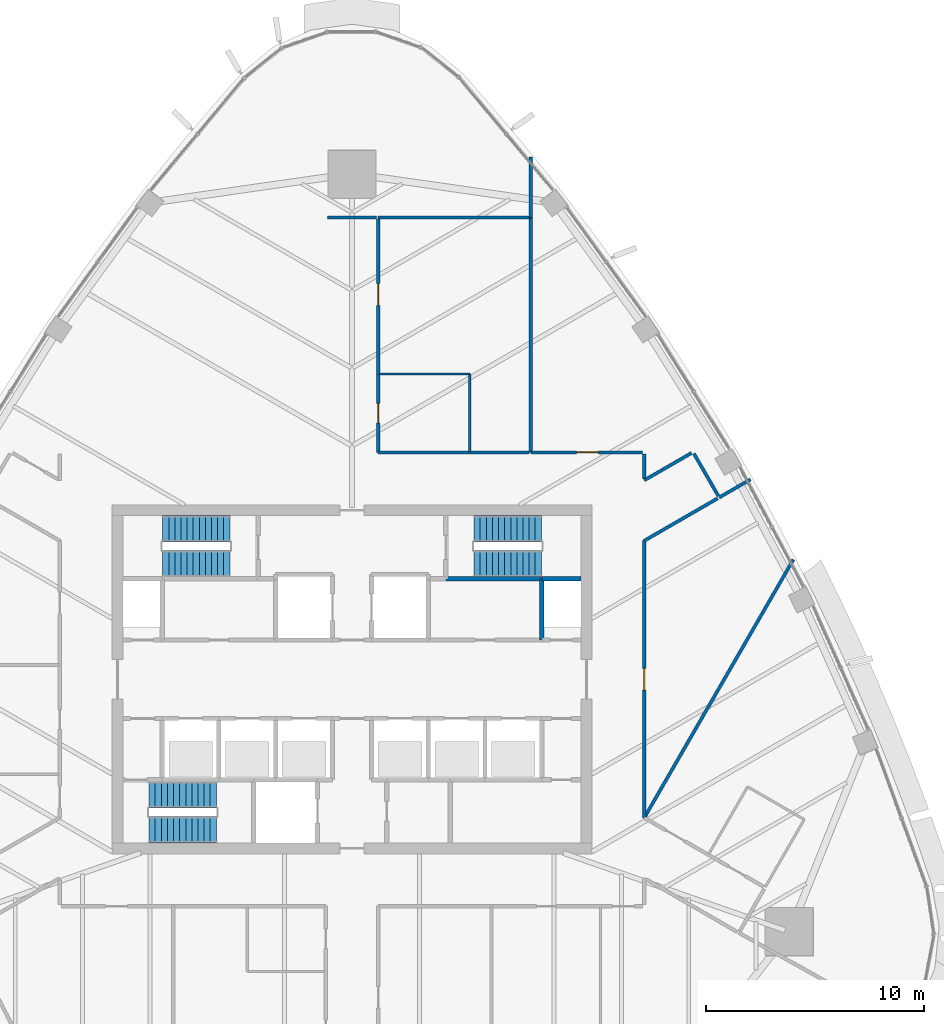
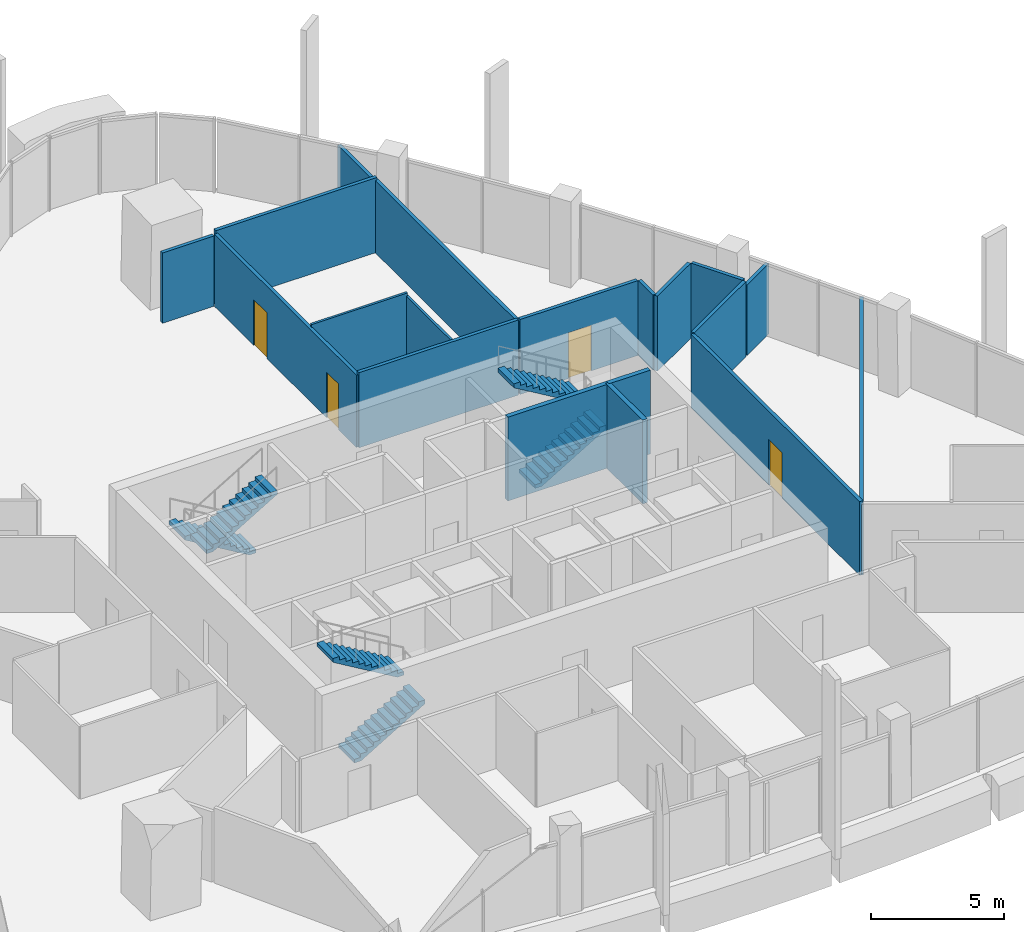
# One storey, part 11 of 19: 19 walls, 6 stair flights, 4 doors, 4 openings, 3 elements without a shape of their own.
"""IFC4 building model written with IfcOpenShell, lengths in metres."""

import ifcopenshell
import ifcopenshell.guid

model = None  # the IFC model being written
_history = None  # IfcOwnerHistory: only IFC2X3 demands one
_inside = {}  # id of a spatial element -> (the spatial element, [elements in it])
_under = {}  # id of a project, library or spatial element -> (it, [spatial elements below it])
_declared = {}  # id of a project -> (the project, [libraries it declares])
_typed = {}  # id of a type object -> (the type object, [elements of that type])
_made_of = {}  # id of a material, layer set ... -> (it, [elements and type objects made of it])


def new_model(schema):
    """Start an empty IFC model of exactly this schema.

    Asked for "IFC4X3", IfcOpenShell would pick the latest addendum, in which some entities
    have other attributes; the version numbers below select the first issue.
    IFC2X3 requires an IfcOwnerHistory on every rooted entity: one is made here for all.
    """
    global model, _history
    if schema == "IFC4X3":
        model = ifcopenshell.file(schema_version=(4, 3, 0, 0))
    else:
        model = ifcopenshell.file(schema=schema)
    _inside.clear()
    _under.clear()
    _declared.clear()
    _typed.clear()
    _made_of.clear()
    _history = None
    if model.schema == "IFC2X3":
        org = make("IfcOrganization", Name="unknown")
        user = make(
            "IfcPersonAndOrganization",
            ThePerson=make("IfcPerson", FamilyName="unknown"),
            TheOrganization=org,
        )
        app = make(
            "IfcApplication",
            ApplicationDeveloper=org,
            Version="unknown",
            ApplicationFullName="unknown",
            ApplicationIdentifier="unknown",
        )
        _history = make(
            "IfcOwnerHistory",
            OwningUser=user,
            OwningApplication=app,
            ChangeAction="ADDED",
            CreationDate=0,
        )
    return model


def make(cls, **values):
    """One entity of the class cls with the attributes given. An attribute that is None is left unset."""
    return model.create_entity(
        cls, **{name: value for name, value in values.items() if value is not None}
    )


def rooted(cls, **values):
    """An entity with a GlobalId (a new one), such as an element, a storey or a relation."""
    return make(cls, GlobalId=ifcopenshell.guid.new(), OwnerHistory=_history, **values)


def si_unit(unit_type, name, prefix=None):
    """IfcSIUnit, for example si_unit("LENGTHUNIT", "METRE", prefix="MILLI")."""
    return make("IfcSIUnit", UnitType=unit_type, Prefix=prefix, Name=name)


def assignment(units):
    """IfcUnitAssignment: the units of a project."""
    return None if units is None else make("IfcUnitAssignment", Units=units)


def point(xyz):
    """IfcCartesianPoint."""
    return None if xyz is None else make("IfcCartesianPoint", Coordinates=xyz)


def direction(xyz):
    """IfcDirection."""
    return None if xyz is None else make("IfcDirection", DirectionRatios=xyz)


def frame(location, z_axis=None, x_axis=None):
    """IfcAxis2Placement3D, a coordinate frame: its origin and axes. An axis left out is left unset."""
    return make(
        "IfcAxis2Placement3D",
        Location=point(location),
        Axis=direction(z_axis),
        RefDirection=direction(x_axis),
    )


def frame_2d(location, x_axis=None):
    """IfcAxis2Placement2D, a coordinate frame in the plane: its origin and x axis."""
    return make(
        "IfcAxis2Placement2D", Location=point(location), RefDirection=direction(x_axis)
    )


def origin():
    """The frame at (0, 0, 0) with its axes left unset."""
    return frame((0.0, 0.0, 0.0))


def place(relative_to, where):
    """IfcLocalPlacement: puts the frame where relative to a parent placement (None: the world)."""
    return make(
        "IfcLocalPlacement", PlacementRelTo=relative_to, RelativePlacement=where
    )


def context(
    kind, dimensions, precision=None, world=None, true_north=None, identifier=None
):
    """IfcGeometricRepresentationContext, for example the 3D "Model" context."""
    return make(
        "IfcGeometricRepresentationContext",
        ContextIdentifier=identifier,
        ContextType=kind,
        CoordinateSpaceDimension=dimensions,
        Precision=precision,
        WorldCoordinateSystem=world,
        TrueNorth=true_north,
    )


def subcontext(parent, identifier, kind, view, scale=None):
    """IfcGeometricRepresentationSubContext, for example "Body" below "Model"."""
    return make(
        "IfcGeometricRepresentationSubContext",
        ContextIdentifier=identifier,
        ContextType=kind,
        ParentContext=parent,
        TargetScale=scale,
        TargetView=view,
    )


def project(units=None, contexts=None):
    """IfcProject with its units and contexts."""
    return rooted(
        "IfcProject",
        Name="project",
        RepresentationContexts=contexts,
        UnitsInContext=assignment(units),
    )


def spatial(cls, under=None, at=None, **own):
    """A site, building, storey or space (cls), placed at a placement, below another one or the project."""
    s = rooted(cls, ObjectPlacement=at, **own)
    if under is not None:
        _under.setdefault(under.id(), (under, []))[1].append(s)
    return s


def polyline(points):
    """IfcPolyline through the points."""
    return make("IfcPolyline", Points=[point(p) for p in points])


def profile(cls, at=None, kind="AREA", **sizes):
    """A parametric profile (cls). Its sizes go by their IFC names, for example OverallWidth=200.0."""
    return make(cls, ProfileType=kind, Position=at, **sizes)


def rectangle(**sizes):
    """IfcRectangleProfileDef."""
    return profile("IfcRectangleProfileDef", **sizes)


def outline(outer, holes=None, kind="AREA"):
    """IfcArbitraryClosedProfileDef: a profile drawn as a closed curve; with holes, ...WithVoids."""
    if holes is None:
        return make("IfcArbitraryClosedProfileDef", ProfileType=kind, OuterCurve=outer)
    return make(
        "IfcArbitraryProfileDefWithVoids",
        ProfileType=kind,
        OuterCurve=outer,
        InnerCurves=holes,
    )


def extrude(swept, where, along, depth):
    """IfcExtrudedAreaSolid: the profile swept, set in the frame where, extruded along a direction by depth."""
    return make(
        "IfcExtrudedAreaSolid",
        SweptArea=swept,
        Position=where,
        ExtrudedDirection=direction(along),
        Depth=depth,
    )


def shape(context_of_items, identifier, shape_type, items):
    """IfcShapeRepresentation: the items that make up one representation, for example the "Body"."""
    return make(
        "IfcShapeRepresentation",
        ContextOfItems=context_of_items,
        RepresentationIdentifier=identifier,
        RepresentationType=shape_type,
        Items=items,
    )


def material(Name=None, Category=None):
    """IfcMaterial."""
    return make("IfcMaterial", Name=Name, Category=Category)


def layer(
    of_material, thickness, ventilated=None, Name=None, Category=None, Priority=None
):
    """IfcMaterialLayer: one layer of a wall or slab, of a material (None: an air gap)."""
    return make(
        "IfcMaterialLayer",
        Material=of_material,
        LayerThickness=thickness,
        IsVentilated=ventilated,
        Name=Name,
        Category=Category,
        Priority=Priority,
    )


def layer_set(layers, Name=None):
    """IfcMaterialLayerSet."""
    return make("IfcMaterialLayerSet", MaterialLayers=layers, LayerSetName=Name)


def made_of(thing, what):
    """Note that an element or type object is made of a material, layer set ...; save() writes the relation."""
    if what is not None:
        _made_of.setdefault(what.id(), (what, []))[1].append(thing)
    return thing


def type_object(cls, material=None, **own):
    """A type object (cls), such as IfcWallType, which elements share."""
    return made_of(rooted(cls, **own), material)


def element(
    cls,
    number,
    at=None,
    inside=None,
    cuts=None,
    type_object=None,
    material=None,
    context=None,
    identifier="Body",
    shape_type=None,
    held_by="IfcProductDefinitionShape",
    body=None,
    shapes=None,
    **own,
):
    """One element of the class cls, such as IfcWall. Its Tag is "e" and its number.

    at: its placement. inside: the storey or other place that contains it. cuts: it is an
    opening in that element (IfcRelVoidsElement). A single representation is given by context,
    identifier, shape_type and body (its items); several are given by shapes. held_by: the class
    of the entity that holds the representations. save() writes the other relations.
    """
    e = rooted(cls, Tag="e%d" % number, ObjectPlacement=at, **own)
    if body is not None:
        shapes = [shape(context, identifier, shape_type, body)]
    if shapes is not None:
        e.Representation = make(held_by, Representations=shapes)
    if inside is not None:
        _inside.setdefault(inside.id(), (inside, []))[1].append(e)
    if cuts is not None:
        rooted(
            "IfcRelVoidsElement", RelatingBuildingElement=cuts, RelatedOpeningElement=e
        )
    if type_object is not None:
        _typed.setdefault(type_object.id(), (type_object, []))[1].append(e)
    return made_of(e, material)


def fill(opening, filler):
    """IfcRelFillsElement: the door or window that sits in an opening."""
    return rooted(
        "IfcRelFillsElement",
        RelatingOpeningElement=opening,
        RelatedBuildingElement=filler,
    )


def aggregate(whole, parts):
    """IfcRelAggregates: a whole, such as a stair, and the parts it consists of."""
    return rooted("IfcRelAggregates", RelatingObject=whole, RelatedObjects=parts)


def save(model, path):
    """Write the relations noted so far, then the file.

    IfcRelAggregates (storeys below a building ...), IfcRelContainedInSpatialStructure (elements
    in a storey), IfcRelDefinesByType, IfcRelAssociatesMaterial and IfcRelDeclares: one each for
    every whole, place, type object, material and project.
    """
    for whole, parts in _under.values():
        aggregate(whole, parts)
    for where, things in _inside.values():
        rooted(
            "IfcRelContainedInSpatialStructure",
            RelatedElements=things,
            RelatingStructure=where,
        )
    for kind, things in _typed.values():
        rooted("IfcRelDefinesByType", RelatedObjects=things, RelatingType=kind)
    for what, things in _made_of.values():
        rooted("IfcRelAssociatesMaterial", RelatedObjects=things, RelatingMaterial=what)
    for by, libraries in _declared.values():
        rooted("IfcRelDeclares", RelatingContext=by, RelatedDefinitions=libraries)
    model.write(path)


model = new_model("IFC4")

# Units and contexts
model_context = context("Model", 3, precision=1e-05, world=origin(), true_north=direction((0.0, 1.0)))
body_context = subcontext(model_context, "Body", "Model", "MODEL_VIEW")
ifc_project = project(units=[si_unit("LENGTHUNIT", "METRE"), si_unit("AREAUNIT", "SQUARE_METRE"), si_unit("VOLUMEUNIT", "CUBIC_METRE"), si_unit("PLANEANGLEUNIT", "RADIAN"), si_unit("MASSUNIT", "GRAM", prefix="KILO")], contexts=[model_context])

# Site, building, storey
site_placement = place(None, origin())
site = spatial("IfcSite", under=ifc_project, at=site_placement, CompositionType="ELEMENT")
building_placement = place(site_placement, origin())
building = spatial("IfcBuilding", under=site, at=building_placement, Name="Sierra Prisma Convention Tower", CompositionType="ELEMENT")
storey_placement = place(building_placement, frame((0.0, 0.0, 311.0)))
storey = spatial("IfcBuildingStorey", under=building, at=storey_placement, Name="L71", CompositionType="ELEMENT", Elevation=311.0)

# Walls
ifc_material_1 = material(Name="Gypsum board partition", Category="gypsum")
ifc_layer_1 = layer(ifc_material_1, 0.10009765625)
ifc_layer_set_1 = layer_set([ifc_layer_1], Name="Bathroom partition 100")
wall_type_1 = type_object("IfcWallType", Name="Bathroom partition 100", PredefinedType="PARTITIONING", material=ifc_layer_set_1)
wall_1_placement = place(storey_placement, frame((1.22998046875, 14.0, 0.0), z_axis=(0.0, 0.0, 1.0), x_axis=(1.0, 0.0, 0.0)))
element("IfcWall", 1, at=wall_1_placement, inside=storey, type_object=wall_type_1, Name="Partition L71 bath 6", PredefinedType="PARTITIONING", context=body_context, shape_type="SweptSolid", body=[
    extrude(rectangle(XDim=4.169921875, YDim=0.10009765625, at=frame_2d((2.0849609375, 0.0))), origin(), (0.0, 0.0, 1.0), 3.449951171875),
])
wall_2_placement = place(storey_placement, frame((5.39990234375, 14.0, 0.0), z_axis=(0.0, 0.0, 1.0), x_axis=(0.0, -1.0, 0.0)))
element("IfcWall", 2, at=wall_2_placement, inside=storey, type_object=wall_type_1, Name="Partition L71 bath 7", PredefinedType="PARTITIONING", context=body_context, shape_type="SweptSolid", body=[
    extrude(rectangle(XDim=3.570068359375, YDim=0.10009765625, at=frame_2d((1.78515625, 0.0))), origin(), (0.0, 0.0, 1.0), 3.31689453125),
])
ifc_material_2 = material(Name="Concrete C30/37", Category="concrete")
ifc_layer_2 = layer(ifc_material_2, 0.199951171875)
ifc_layer_set_2 = layer_set([ifc_layer_2], Name="Core wall RC 200 C30/37")
wall_type_2 = type_object("IfcWallType", Name="Core wall RC 200 C30/37", PredefinedType="SOLIDWALL", material=ifc_layer_set_2)
wall_3_placement = place(storey_placement, frame((8.699951171875, 4.60009765625, 0.0), z_axis=(0.0, 0.0, 1.0), x_axis=(-1.0, 0.0, 0.0)))
element("IfcWall", 3, at=wall_3_placement, inside=storey, type_object=wall_type_2, Name="Core wall L71 46", PredefinedType="SOLIDWALL", context=body_context, shape_type="SweptSolid", body=[
    extrude(rectangle(XDim=4.39990234375, YDim=0.199951171875, at=frame_2d((2.199951171875, 0.0))), origin(), (0.0, 0.0, 1.0), 3.85009765625),
])
wall_4_placement = place(storey_placement, frame((8.699951171875, 1.800048828125, 0.0), z_axis=(0.0, 0.0, 1.0), x_axis=(0.0, 1.0, 0.0)))
element("IfcWall", 4, at=wall_4_placement, inside=storey, type_object=wall_type_2, Name="Core wall L71 57", PredefinedType="SOLIDWALL", context=body_context, shape_type="SweptSolid", body=[
    extrude(rectangle(XDim=2.800048828125, YDim=0.199951171875, at=frame_2d((1.39990234375, 0.0))), origin(), (0.0, 0.0, 1.0), 3.85009765625),
])
wall_5_placement = place(storey_placement, frame((10.5, 4.60009765625, 0.0), z_axis=(0.0, 0.0, 1.0), x_axis=(-1.0, 0.0, 0.0)))
element("IfcWall", 5, at=wall_5_placement, inside=storey, type_object=wall_type_2, Name="Core wall L71 58", PredefinedType="SOLIDWALL", context=body_context, shape_type="SweptSolid", body=[
    extrude(rectangle(XDim=1.800048828125, YDim=0.199951171875, at=frame_2d((0.89990234375, 0.0))), origin(), (0.0, 0.0, 1.0), 3.85009765625),
])
ifc_material_3 = material(Name="Gypsum board partition", Category="gypsum")
ifc_layer_3 = layer(ifc_material_3, 0.14990234375)
ifc_layer_set_3 = layer_set([ifc_layer_3], Name="Corridor wall 150 gypsum EI 60")
wall_type_3 = type_object("IfcWallType", Name="Corridor wall 150 gypsum EI 60", PredefinedType="PARTITIONING", material=ifc_layer_set_3)
wall_6_placement = place(storey_placement, frame((1.1201171875, 21.171875, 0.0), z_axis=(0.0, 0.0, 1.0), x_axis=(-1.0, 0.0, 0.0)))
element("IfcWall", 6, at=wall_6_placement, inside=storey, type_object=wall_type_3, Name="Partition L71 corr 13", PredefinedType="PARTITIONING", context=body_context, shape_type="SweptSolid", body=[
    extrude(rectangle(XDim=2.240234375, YDim=0.14990234375, at=frame_2d((1.1201171875, 0.0))), origin(), (0.0, 0.0, 1.0), 3.23291015625),
])
wall_7_placement = place(storey_placement, frame((8.1201171875, 10.39990234375, 0.0), z_axis=(0.0, 0.0, 1.0), x_axis=(-1.0, 0.0, 0.0)))
element("IfcWall", 7, at=wall_7_placement, inside=storey, type_object=wall_type_3, Name="Partition L71 corr 16", PredefinedType="PARTITIONING", context=body_context, shape_type="SweptSolid", body=[
    extrude(rectangle(XDim=6.920166015625, YDim=0.14990234375, at=frame_2d((3.4599609375, 0.0))), origin(), (0.0, 0.0, 1.0), 3.449951171875),
])

# Wall, openings, doors
wall_8_placement = place(storey_placement, frame((1.199951171875, 10.39990234375, 0.0), z_axis=(0.0, 0.0, 1.0), x_axis=(0.0, 1.0, 0.0)))
wall_8 = element("IfcWall", 8, at=wall_8_placement, inside=storey, type_object=wall_type_3, Name="Partition L71 corr 17", PredefinedType="PARTITIONING", context=body_context, shape_type="SweptSolid", body=[
    extrude(rectangle(XDim=10.69189453125, YDim=0.14990234375, at=frame_2d((5.345947265625, 0.0))), origin(), (0.0, 0.0, 1.0), 3.31689453125),
])
opening_1_placement = place(wall_8_placement, frame((1.35009765625, 0.0, 0.0)))
opening_1 = element("IfcOpeningElement", 9, at=opening_1_placement, cuts=wall_8, Name="Opening L71-D025", PredefinedType="OPENING", context=body_context, shape_type="SweptSolid", body=[
    extrude(rectangle(XDim=0.89990234375, YDim=2.10009765625, at=frame_2d((0.449951171875, 1.050048828125))), frame((0.0, 0.074951171875, 0.0), z_axis=(0.0, -1.0, 0.0), x_axis=(1.0, 0.0, 0.0)), (0.0, 0.0, 1.0), 0.14990234375),
])
opening_2_placement = place(wall_8_placement, frame((6.73583984375, 0.0, 0.0)))
opening_2 = element("IfcOpeningElement", 10, at=opening_2_placement, cuts=wall_8, Name="Opening L71-D026", PredefinedType="OPENING", context=body_context, shape_type="SweptSolid", body=[
    extrude(rectangle(XDim=1.0, YDim=2.10009765625, at=frame_2d((0.5, 1.050048828125))), frame((0.0, 0.074951171875, 0.0), z_axis=(0.0, -1.0, 0.0), x_axis=(1.0, 0.0, 0.0)), (0.0, 0.0, 1.0), 0.14990234375),
])
ifc_material_4 = material(Name="Steel fire door leaf", Category="steel")
door_type_1 = type_object("IfcDoorType", Name="Door 1000x2100 FD30S", OperationType="SINGLE_SWING_LEFT", PredefinedType="DOOR", material=ifc_material_4)
door_1_placement = place(opening_2_placement, origin())
door_1 = element("IfcDoor", 11, at=door_1_placement, inside=storey, type_object=door_type_1, Name="Door L71 4", OperationType="SINGLE_SWING_LEFT", OverallHeight=2.10009765625, OverallWidth=1.0, PredefinedType="DOOR", context=body_context, shape_type="SweptSolid", body=[
    extrude(rectangle(XDim=1.0, YDim=2.10009765625, at=frame_2d((0.5, 1.050048828125))), frame((0.0, 0.02490234375, 0.0), z_axis=(0.0, -1.0, 0.0), x_axis=(1.0, 0.0, 0.0)), (0.0, 0.0, 1.0), 0.050048828125),
])
fill(opening_2, door_1)
ifc_material_5 = material(Name="Steel fire door leaf", Category="steel")
door_type_2 = type_object("IfcDoorType", Name="Door 900x2100 FD30S", OperationType="SINGLE_SWING_LEFT", PredefinedType="DOOR", material=ifc_material_5)
door_2_placement = place(opening_1_placement, origin())
door_2 = element("IfcDoor", 12, at=door_2_placement, inside=storey, type_object=door_type_2, Name="Door L71 3", OperationType="SINGLE_SWING_RIGHT", OverallHeight=2.10009765625, OverallWidth=0.89990234375, PredefinedType="DOOR", context=body_context, shape_type="SweptSolid", body=[
    extrude(rectangle(XDim=0.89990234375, YDim=2.10009765625, at=frame_2d((0.449951171875, 1.050048828125))), frame((0.0, 0.02490234375, 0.0), z_axis=(0.0, -1.0, 0.0), x_axis=(1.0, 0.0, 0.0)), (0.0, 0.0, 1.0), 0.050048828125),
])
fill(opening_1, door_2)

# Wall, opening, door
wall_9_placement = place(storey_placement, frame((13.320068359375, 10.39990234375, 0.0), z_axis=(0.0, 0.0, 1.0), x_axis=(-1.0, 0.0, 0.0)))
wall_9 = element("IfcWall", 13, at=wall_9_placement, inside=storey, type_object=wall_type_3, Name="Partition L71 corr 18", PredefinedType="PARTITIONING", context=body_context, shape_type="SweptSolid", body=[
    extrude(rectangle(XDim=5.1201171875, YDim=0.14990234375, at=frame_2d((2.56005859375, 0.0))), origin(), (0.0, 0.0, 1.0), 3.443115234375),
])
opening_3_placement = place(wall_9_placement, frame((2.02001953125, 0.0, 0.0)))
opening_3 = element("IfcOpeningElement", 14, at=opening_3_placement, cuts=wall_9, Name="Opening L71-D024", PredefinedType="OPENING", context=body_context, shape_type="SweptSolid", body=[
    extrude(rectangle(XDim=1.0, YDim=2.10009765625, at=frame_2d((0.5, 1.050048828125))), frame((0.0, 0.074951171875, 0.0), z_axis=(0.0, -1.0, 0.0), x_axis=(1.0, 0.0, 0.0)), (0.0, 0.0, 1.0), 0.14990234375),
])
door_3_placement = place(opening_3_placement, origin())
door_3 = element("IfcDoor", 15, at=door_3_placement, inside=storey, type_object=door_type_1, Name="Door L71 2", OperationType="SINGLE_SWING_LEFT", OverallHeight=2.10009765625, OverallWidth=1.0, PredefinedType="DOOR", context=body_context, shape_type="SweptSolid", body=[
    extrude(rectangle(XDim=1.0, YDim=2.10009765625, at=frame_2d((0.5, 1.050048828125))), frame((0.0, 0.02490234375, 0.0), z_axis=(0.0, -1.0, 0.0), x_axis=(1.0, 0.0, 0.0)), (0.0, 0.0, 1.0), 0.050048828125),
])
fill(opening_3, door_3)

wall_10_placement = place(storey_placement, frame((13.39990234375, -6.350830078125, 0.0), z_axis=(0.0, 0.0, 1.0), x_axis=(0.0, 1.0, 0.0)))
wall_10 = element("IfcWall", 16, at=wall_10_placement, inside=storey, type_object=wall_type_3, Name="Partition L71 corr 21", PredefinedType="PARTITIONING", context=body_context, shape_type="SweptSolid", body=[
    extrude(rectangle(XDim=12.70166015625, YDim=0.14990234375, at=frame_2d((6.350830078125, 0.0))), origin(), (0.0, 0.0, 1.0), 3.39306640625),
])
opening_4_placement = place(wall_10_placement, frame((5.850830078125, 0.0, 0.0)))
opening_4 = element("IfcOpeningElement", 17, at=opening_4_placement, cuts=wall_10, Name="Opening L71-D023", PredefinedType="OPENING", context=body_context, shape_type="SweptSolid", body=[
    extrude(rectangle(XDim=1.0, YDim=2.10009765625, at=frame_2d((0.5, 1.050048828125))), frame((0.0, 0.074951171875, 0.0), z_axis=(0.0, -1.0, 0.0), x_axis=(1.0, 0.0, 0.0)), (0.0, 0.0, 1.0), 0.14990234375),
])
door_4_placement = place(opening_4_placement, origin())
door_4 = element("IfcDoor", 18, at=door_4_placement, inside=storey, type_object=door_type_1, Name="Door L71 1", OperationType="SINGLE_SWING_RIGHT", OverallHeight=2.10009765625, OverallWidth=1.0, PredefinedType="DOOR", context=body_context, shape_type="SweptSolid", body=[
    extrude(rectangle(XDim=1.0, YDim=2.10009765625, at=frame_2d((0.5, 1.050048828125))), frame((0.0, 0.02490234375, 0.0), z_axis=(0.0, -1.0, 0.0), x_axis=(1.0, 0.0, 0.0)), (0.0, 0.0, 1.0), 0.050048828125),
])
fill(opening_4, door_4)

# Walls
wall_11_placement = place(storey_placement, frame((13.39990234375, 6.350830078125, 0.0), z_axis=(0.0, 0.0, 1.0), x_axis=(0.866024577697, 0.500001430823, 0.0)))
element("IfcWall", 19, at=wall_11_placement, inside=storey, type_object=wall_type_3, Name="Partition L71 corr 22", PredefinedType="PARTITIONING", context=body_context, shape_type="SweptSolid", body=[
    extrude(rectangle(XDim=3.888671875, YDim=0.14990234375, at=frame_2d((1.9443359375, 0.0))), origin(), (0.0, 0.0, 1.0), 3.449951171875),
])
wall_12_placement = place(storey_placement, frame((15.5673828125, 10.37353515625, 0.0), z_axis=(0.0, 0.0, 1.0), x_axis=(-0.866013394656, -0.500020799843, 0.0)))
element("IfcWall", 20, at=wall_12_placement, inside=storey, type_object=wall_type_3, Name="Partition L71 corr 24", PredefinedType="PARTITIONING", context=body_context, shape_type="SweptSolid", body=[
    extrude(rectangle(XDim=2.5029296875, YDim=0.14990234375, at=frame_2d((1.25146484375, 0.0))), origin(), (0.0, 0.0, 1.0), 3.449951171875),
])
wall_13_placement = place(storey_placement, frame((13.39990234375, 9.213623046875, 0.0), z_axis=(0.0, 0.0, 1.0), x_axis=(0.0, 1.0, 0.0)))
element("IfcWall", 21, at=wall_13_placement, inside=storey, type_object=wall_type_3, Name="Partition L71 corr 25", PredefinedType="PARTITIONING", context=body_context, shape_type="SweptSolid", body=[
    extrude(rectangle(XDim=1.1064453125, YDim=0.14990234375, at=frame_2d((0.55322265625, 0.0))), origin(), (0.0, 0.0, 1.0), 3.449951171875),
])
wall_14_placement = place(storey_placement, frame((16.796630859375, 8.404296875, 0.0), z_axis=(0.0, 0.0, 1.0), x_axis=(-0.49994888933, 0.866054910533, 0.0)))
element("IfcWall", 22, at=wall_14_placement, inside=storey, type_object=wall_type_3, Name="Partition L71 corr 26", PredefinedType="PARTITIONING", context=body_context, shape_type="SweptSolid", body=[
    extrude(rectangle(XDim=2.239990234375, YDim=0.14990234375, at=frame_2d((1.1201171875, 0.0))), origin(), (0.0, 0.0, 1.0), 3.449951171875),
])
ifc_material_6 = material(Name="Gypsum board partition", Category="gypsum")
ifc_layer_4 = layer(ifc_material_6, 0.14990234375)
ifc_layer_set_4 = layer_set([ifc_layer_4], Name="Party wall 150 gypsum")
wall_type_4 = type_object("IfcWallType", Name="Party wall 150 gypsum", PredefinedType="PARTITIONING", material=ifc_layer_set_4)
wall_15_placement = place(storey_placement, frame((1.199951171875, 21.171875, 0.0), z_axis=(0.0, 0.0, 1.0), x_axis=(1.0, 0.0, 0.0)))
element("IfcWall", 23, at=wall_15_placement, inside=storey, type_object=wall_type_4, Name="Partition L71 party 11", PredefinedType="PARTITIONING", context=body_context, shape_type="SweptSolid", body=[
    extrude(rectangle(XDim=7.0, YDim=0.14990234375, at=frame_2d((3.5, 0.0))), origin(), (0.0, 0.0, 1.0), 3.443115234375),
])
wall_16_placement = place(storey_placement, frame((8.199951171875, 10.39990234375, 0.0), z_axis=(0.0, 0.0, 1.0), x_axis=(0.0, 1.0, 0.0)))
element("IfcWall", 24, at=wall_16_placement, inside=storey, type_object=wall_type_4, Name="Partition L71 party 12", PredefinedType="PARTITIONING", context=body_context, shape_type="SweptSolid", body=[
    extrude(rectangle(XDim=10.77197265625, YDim=0.14990234375, at=frame_2d((5.385986328125, 0.0))), origin(), (0.0, 0.0, 1.0), 3.31689453125),
])
wall_17_placement = place(storey_placement, frame((8.199951171875, 21.171875, 0.0), z_axis=(0.0, 0.0, 1.0), x_axis=(0.0, 1.0, 0.0)))
element("IfcWall", 25, at=wall_17_placement, inside=storey, type_object=wall_type_4, Name="Partition L71 party 13", PredefinedType="PARTITIONING", context=body_context, shape_type="SweptSolid", body=[
    extrude(rectangle(XDim=2.76513671875, YDim=0.14990234375, at=frame_2d((1.382568359375, 0.0))), origin(), (0.0, 0.0, 1.0), 3.23388671875),
])
wall_18_placement = place(storey_placement, frame((13.39990234375, -6.350830078125, 0.0), z_axis=(0.0, 0.0, 1.0), x_axis=(0.500000234396, 0.866025268456, 0.0)))
element("IfcWall", 26, at=wall_18_placement, inside=storey, type_object=wall_type_4, Name="Partition L71 party 14", PredefinedType="PARTITIONING", context=body_context, shape_type="SweptSolid", body=[
    extrude(rectangle(XDim=13.6689453125, YDim=0.14990234375, at=frame_2d((6.83447265625, 0.0))), origin(), (0.0, 0.0, 1.0), 3.23388671875),
])
wall_19_placement = place(storey_placement, frame((18.2646484375, 9.159423828125, 0.0), z_axis=(0.0, 0.0, 1.0), x_axis=(-0.866084496772, -0.499897633972, 0.0)))
element("IfcWall", 27, at=wall_19_placement, inside=storey, type_object=wall_type_4, Name="Partition L71 party 15", PredefinedType="PARTITIONING", context=body_context, shape_type="SweptSolid", body=[
    extrude(rectangle(XDim=1.648681640625, YDim=0.14990234375, at=frame_2d((0.82421875, 0.0))), origin(), (0.0, 0.0, 1.0), 3.23388671875),
])

# Stair, stair flights
ifc_material_7 = material(Name="Concrete C30/37", Category="concrete")
stair_type = type_object("IfcStairType", Name="Stair dog-leg 1200 RC", PredefinedType="HALF_TURN_STAIR", material=ifc_material_7)
stair_1_placement = place(storey_placement, origin())
stair_1 = element("IfcStair", 28, at=stair_1_placement, inside=storey, type_object=stair_type, Name="L71 S1", PredefinedType="HALF_TURN_STAIR")
ifc_material_8 = material(Name="Concrete C30/37", Category="concrete")
stair_flight_type = type_object("IfcStairFlightType", Name="Stair flight RC 1200", PredefinedType="STRAIGHT", material=ifc_material_8)
stair_flight_1_placement = place(storey_placement, frame((-9.300048828125, -6.89990234375, 0.0), z_axis=(0.0, 0.0, 1.0), x_axis=(1.0, 0.0, 0.0)))
stair_flight_1 = element("IfcStairFlight", 29, at=stair_flight_1_placement, type_object=stair_flight_type, Name="S1 flight 1", NumberOfRisers=12, NumberOfTreads=11, PredefinedType="STRAIGHT", RiserHeight=0.166666667, TreadLength=0.28, context=body_context, shape_type="SweptSolid", body=[
    extrude(outline(polyline([(0.0, 0.0), (0.0, 0.166748046875), (0.280029296875, 0.166748046875), (0.280029296875, 0.333251953125), (0.56005859375, 0.333251953125), (0.56005859375, 0.5), (0.840087890625, 0.5), (0.840087890625, 0.666748046875), (1.1201171875, 0.666748046875), (1.1201171875, 0.833251953125), (1.39990234375, 0.833251953125), (1.39990234375, 1.0), (1.679931640625, 1.0), (1.679931640625, 1.166748046875), (1.9599609375, 1.166748046875), (1.9599609375, 1.333251953125), (2.239990234375, 1.333251953125), (2.239990234375, 1.5), (2.52001953125, 1.5), (2.52001953125, 1.666748046875), (2.800048828125, 1.666748046875), (2.800048828125, 1.833251953125), (3.080078125, 1.833251953125), (3.080078125, 2.0), (3.080078125, 1.658935546875), (0.29296875, 0.0), (0.0, 0.0)])), frame((0.0, 0.60009765625, 0.0), z_axis=(0.0, -1.0, 0.0), x_axis=(1.0, 0.0, 0.0)), (0.0, 0.0, 1.0), 1.199951171875),
])
stair_flight_2_placement = place(storey_placement, frame((-6.219970703125, -5.300048828125, 2.0), z_axis=(0.0, 0.0, 1.0), x_axis=(-1.0, 0.0, 0.0)))
stair_flight_2 = element("IfcStairFlight", 30, at=stair_flight_2_placement, type_object=stair_flight_type, Name="S1 flight 2", NumberOfRisers=12, NumberOfTreads=11, PredefinedType="STRAIGHT", RiserHeight=0.166666667, TreadLength=0.28, context=body_context, shape_type="SweptSolid", body=[
    extrude(outline(polyline([(0.0, 0.0), (0.0, 0.166748046875), (0.280029296875, 0.166748046875), (0.280029296875, 0.333251953125), (0.56005859375, 0.333251953125), (0.56005859375, 0.5), (0.840087890625, 0.5), (0.840087890625, 0.666748046875), (1.1201171875, 0.666748046875), (1.1201171875, 0.833251953125), (1.39990234375, 0.833251953125), (1.39990234375, 1.0), (1.679931640625, 1.0), (1.679931640625, 1.166748046875), (1.9599609375, 1.166748046875), (1.9599609375, 1.333251953125), (2.239990234375, 1.333251953125), (2.239990234375, 1.5), (2.52001953125, 1.5), (2.52001953125, 1.666748046875), (2.800048828125, 1.666748046875), (2.800048828125, 1.833251953125), (3.080078125, 1.833251953125), (3.080078125, 2.0), (3.080078125, 1.658935546875), (0.29296875, 0.0), (0.0, 0.0)])), frame((0.0, 0.60009765625, 0.0), z_axis=(0.0, -1.0, 0.0), x_axis=(1.0, 0.0, 0.0)), (0.0, 0.0, 1.0), 1.199951171875),
])
aggregate(stair_1, [stair_flight_1, stair_flight_2])

stair_2_placement = place(storey_placement, origin())
stair_2 = element("IfcStair", 31, at=stair_2_placement, inside=storey, type_object=stair_type, Name="L71 S3", PredefinedType="HALF_TURN_STAIR")
stair_flight_3_placement = place(storey_placement, frame((-5.60009765625, 6.89990234375, 0.0), z_axis=(0.0, 0.0, 1.0), x_axis=(-1.0, 0.0, 0.0)))
stair_flight_3 = element("IfcStairFlight", 32, at=stair_flight_3_placement, type_object=stair_flight_type, Name="S3 flight 1", NumberOfRisers=12, NumberOfTreads=11, PredefinedType="STRAIGHT", RiserHeight=0.166666667, TreadLength=0.28, context=body_context, shape_type="SweptSolid", body=[
    extrude(outline(polyline([(0.0, 0.0), (0.0, 0.166748046875), (0.280029296875, 0.166748046875), (0.280029296875, 0.333251953125), (0.56005859375, 0.333251953125), (0.56005859375, 0.5), (0.840087890625, 0.5), (0.840087890625, 0.666748046875), (1.1201171875, 0.666748046875), (1.1201171875, 0.833251953125), (1.39990234375, 0.833251953125), (1.39990234375, 1.0), (1.679931640625, 1.0), (1.679931640625, 1.166748046875), (1.9599609375, 1.166748046875), (1.9599609375, 1.333251953125), (2.239990234375, 1.333251953125), (2.239990234375, 1.5), (2.52001953125, 1.5), (2.52001953125, 1.666748046875), (2.800048828125, 1.666748046875), (2.800048828125, 1.833251953125), (3.080078125, 1.833251953125), (3.080078125, 2.0), (3.080078125, 1.658935546875), (0.29296875, 0.0), (0.0, 0.0)])), frame((0.0, 0.60009765625, 0.0), z_axis=(0.0, -1.0, 0.0), x_axis=(1.0, 0.0, 0.0)), (0.0, 0.0, 1.0), 1.199951171875),
])
stair_flight_4_placement = place(storey_placement, frame((-8.679931640625, 5.300048828125, 2.0), z_axis=(0.0, 0.0, 1.0), x_axis=(1.0, 0.0, 0.0)))
stair_flight_4 = element("IfcStairFlight", 33, at=stair_flight_4_placement, type_object=stair_flight_type, Name="S3 flight 2", NumberOfRisers=12, NumberOfTreads=11, PredefinedType="STRAIGHT", RiserHeight=0.166666667, TreadLength=0.28, context=body_context, shape_type="SweptSolid", body=[
    extrude(outline(polyline([(0.0, 0.0), (0.0, 0.166748046875), (0.280029296875, 0.166748046875), (0.280029296875, 0.333251953125), (0.56005859375, 0.333251953125), (0.56005859375, 0.5), (0.840087890625, 0.5), (0.840087890625, 0.666748046875), (1.1201171875, 0.666748046875), (1.1201171875, 0.833251953125), (1.39990234375, 0.833251953125), (1.39990234375, 1.0), (1.679931640625, 1.0), (1.679931640625, 1.166748046875), (1.9599609375, 1.166748046875), (1.9599609375, 1.333251953125), (2.239990234375, 1.333251953125), (2.239990234375, 1.5), (2.52001953125, 1.5), (2.52001953125, 1.666748046875), (2.800048828125, 1.666748046875), (2.800048828125, 1.833251953125), (3.080078125, 1.833251953125), (3.080078125, 2.0), (3.080078125, 1.658935546875), (0.29296875, 0.0), (0.0, 0.0)])), frame((0.0, 0.60009765625, 0.0), z_axis=(0.0, -1.0, 0.0), x_axis=(1.0, 0.0, 0.0)), (0.0, 0.0, 1.0), 1.199951171875),
])
aggregate(stair_2, [stair_flight_3, stair_flight_4])

stair_3_placement = place(storey_placement, origin())
stair_3 = element("IfcStair", 34, at=stair_3_placement, inside=storey, type_object=stair_type, Name="L71 S4", PredefinedType="HALF_TURN_STAIR")
stair_flight_5_placement = place(storey_placement, frame((5.60009765625, 5.300048828125, 0.0), z_axis=(0.0, 0.0, 1.0), x_axis=(1.0, 0.0, 0.0)))
stair_flight_5 = element("IfcStairFlight", 35, at=stair_flight_5_placement, type_object=stair_flight_type, Name="S4 flight 1", NumberOfRisers=12, NumberOfTreads=11, PredefinedType="STRAIGHT", RiserHeight=0.166666667, TreadLength=0.28, context=body_context, shape_type="SweptSolid", body=[
    extrude(outline(polyline([(0.0, 0.0), (0.0, 0.166748046875), (0.280029296875, 0.166748046875), (0.280029296875, 0.333251953125), (0.56005859375, 0.333251953125), (0.56005859375, 0.5), (0.840087890625, 0.5), (0.840087890625, 0.666748046875), (1.1201171875, 0.666748046875), (1.1201171875, 0.833251953125), (1.39990234375, 0.833251953125), (1.39990234375, 1.0), (1.679931640625, 1.0), (1.679931640625, 1.166748046875), (1.9599609375, 1.166748046875), (1.9599609375, 1.333251953125), (2.239990234375, 1.333251953125), (2.239990234375, 1.5), (2.52001953125, 1.5), (2.52001953125, 1.666748046875), (2.800048828125, 1.666748046875), (2.800048828125, 1.833251953125), (3.080078125, 1.833251953125), (3.080078125, 2.0), (3.080078125, 1.658935546875), (0.29296875, 0.0), (0.0, 0.0)])), frame((0.0, 0.60009765625, 0.0), z_axis=(0.0, -1.0, 0.0), x_axis=(1.0, 0.0, 0.0)), (0.0, 0.0, 1.0), 1.199951171875),
])
stair_flight_6_placement = place(storey_placement, frame((8.679931640625, 6.89990234375, 2.0), z_axis=(0.0, 0.0, 1.0), x_axis=(-1.0, 0.0, 0.0)))
stair_flight_6 = element("IfcStairFlight", 36, at=stair_flight_6_placement, type_object=stair_flight_type, Name="S4 flight 2", NumberOfRisers=12, NumberOfTreads=11, PredefinedType="STRAIGHT", RiserHeight=0.166666667, TreadLength=0.28, context=body_context, shape_type="SweptSolid", body=[
    extrude(outline(polyline([(0.0, 0.0), (0.0, 0.166748046875), (0.280029296875, 0.166748046875), (0.280029296875, 0.333251953125), (0.56005859375, 0.333251953125), (0.56005859375, 0.5), (0.840087890625, 0.5), (0.840087890625, 0.666748046875), (1.1201171875, 0.666748046875), (1.1201171875, 0.833251953125), (1.39990234375, 0.833251953125), (1.39990234375, 1.0), (1.679931640625, 1.0), (1.679931640625, 1.166748046875), (1.9599609375, 1.166748046875), (1.9599609375, 1.333251953125), (2.239990234375, 1.333251953125), (2.239990234375, 1.5), (2.52001953125, 1.5), (2.52001953125, 1.666748046875), (2.800048828125, 1.666748046875), (2.800048828125, 1.833251953125), (3.080078125, 1.833251953125), (3.080078125, 2.0), (3.080078125, 1.658935546875), (0.29296875, 0.0), (0.0, 0.0)])), frame((0.0, 0.60009765625, 0.0), z_axis=(0.0, -1.0, 0.0), x_axis=(1.0, 0.0, 0.0)), (0.0, 0.0, 1.0), 1.199951171875),
])
aggregate(stair_3, [stair_flight_5, stair_flight_6])

save(model, "model.ifc")
